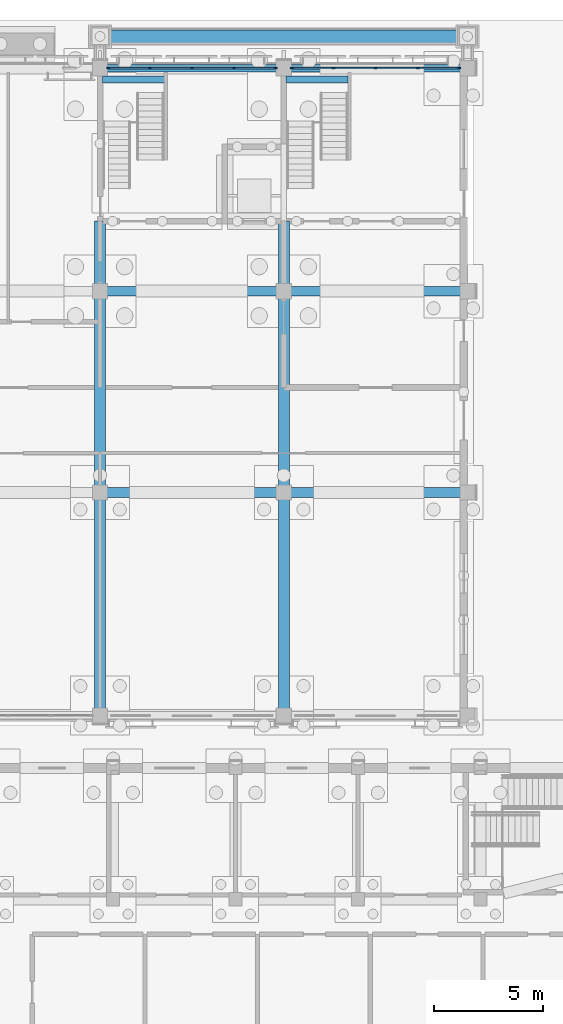
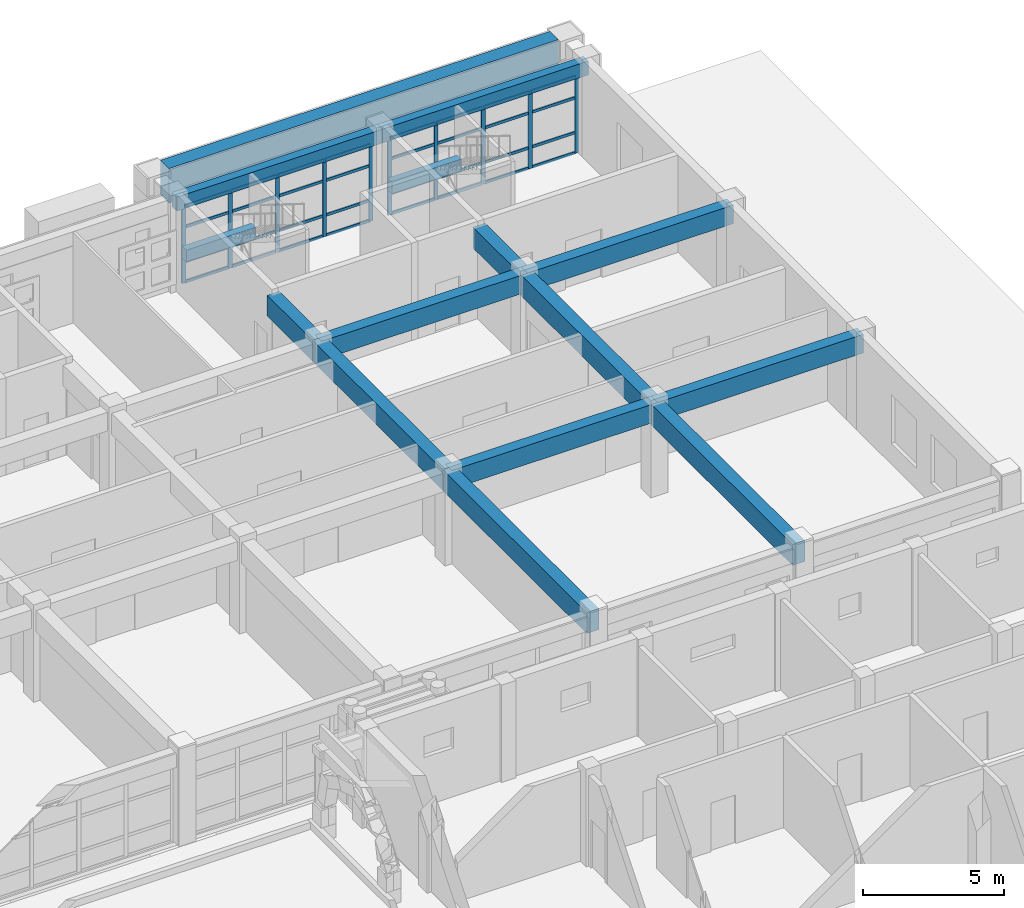
# One storey, part 43 of 112: 42 members, 15 beams, 2 elements without a shape of their own.
"""IFC4 building model written with IfcOpenShell, lengths in metres."""

from ifc_helpers import new_model, si_unit, direction, frame, origin, origin_2d, place, context, subcontext, project, spatial, rectangle, extrude, material, layer, layer_set, material_profile, profile_set, type_object, element, aggregate, save


model = new_model("IFC4")

# Units and contexts
model_context = context("Model", 3, precision=1e-05, world=origin(), true_north=direction((0.0, 1.0)))
body_context = subcontext(model_context, "Body", "Model", "MODEL_VIEW")
ifc_project = project(units=[si_unit("LENGTHUNIT", "METRE"), si_unit("AREAUNIT", "SQUARE_METRE"), si_unit("VOLUMEUNIT", "CUBIC_METRE"), si_unit("PLANEANGLEUNIT", "RADIAN"), si_unit("MASSUNIT", "GRAM", prefix="KILO")], contexts=[model_context])

# Site, building, storey
site_placement = place(None, origin())
site = spatial("IfcSite", under=ifc_project, at=site_placement, CompositionType="ELEMENT")
building_placement = place(site_placement, origin())
building = spatial("IfcBuilding", under=site, at=building_placement, Name="Wasatch Bagh Community Centre", CompositionType="ELEMENT")
storey_placement = place(building_placement, origin())
storey = spatial("IfcBuildingStorey", under=building, at=storey_placement, Name="L00", CompositionType="ELEMENT", Elevation=0.0)

# Beams
ifc_material_1 = material(Name="Concrete C35", Category="concrete")
ifc_material_profile_1 = material_profile(ifc_material_1, rectangle(XDim=0.300048828125, YDim=0.5, at=origin_2d()), Name="RC 300x500")
ifc_profile_set_1 = profile_set([ifc_material_profile_1], Name="Concrete C35")
beam_type_1 = type_object("IfcBeamType", Name="LW RC 300x500", PredefinedType="BEAM", material=ifc_profile_set_1)
for number, where, z_axis, x_axis, name in (
    (1, (122.905029296875, 97.280029296875, 1.64990234375), (1.0, 0.0, 0.0), (0.0, 1.0, 0.0), "LW.lbeam.L00.C3"),
    (2, (131.304931640625, 97.280029296875, 1.64990234375), (1.0, 0.0, 0.0), (0.0, 1.0, 0.0), "LW.lbeam.L00.ES"),
):
    element("IfcBeam", number, at=place(storey_placement, frame(where, z_axis=z_axis, x_axis=x_axis)), inside=storey, type_object=beam_type_1, Name=name, PredefinedType="BEAM", context=body_context, shape_type="SweptSolid", body=[
        extrude(rectangle(XDim=0.300048828125, YDim=0.5, at=origin_2d()), origin(), (0.0, 0.0, 1.0), 2.840087890625),
    ])
ifc_material_profile_2 = material_profile(ifc_material_1, rectangle(XDim=0.35009765625, YDim=0.60009765625, at=origin_2d()), Name="RC 350x600")
ifc_profile_set_2 = profile_set([ifc_material_profile_2], Name="Concrete C35")
beam_type_2 = type_object("IfcBeamType", Name="LW RC 350x600", PredefinedType="BEAM", material=ifc_profile_set_2)
beam_1_placement = place(storey_placement, frame((122.800048828125, 97.800048828125, 3.6201171875), z_axis=(1.0, 0.0, 0.0), x_axis=(0.0, 1.0, 0.0)))
element("IfcBeam", 3, at=beam_1_placement, inside=storey, type_object=beam_type_2, Name="W8-W9N", PredefinedType="BEAM", context=body_context, shape_type="SweptSolid", body=[
    extrude(rectangle(XDim=0.35009765625, YDim=0.60009765625, at=origin_2d()), origin(), (0.0, 0.0, 1.0), 8.39990234375),
])
beam_2_placement = place(storey_placement, frame((131.199951171875, 97.800048828125, 3.6201171875), z_axis=(1.0, 0.0, 0.0), x_axis=(0.0, 1.0, 0.0)))
element("IfcBeam", 4, at=beam_2_placement, inside=storey, type_object=beam_type_2, Name="W9-W10N", PredefinedType="BEAM", context=body_context, shape_type="SweptSolid", body=[
    extrude(rectangle(XDim=0.35009765625, YDim=0.60009765625, at=origin_2d()), origin(), (0.0, 0.0, 1.0), 8.400146484375),
])
ifc_material_profile_3 = material_profile(ifc_material_1, rectangle(XDim=0.449951171875, YDim=0.800048828125, at=origin_2d()), Name="RC 450x800")
ifc_profile_set_3 = profile_set([ifc_material_profile_3], Name="Concrete C35")
beam_type_3 = type_object("IfcBeamType", Name="LW RC 450x800", PredefinedType="BEAM", material=ifc_profile_set_3)
beam_3_placement = place(storey_placement, frame((122.800048828125, 78.39990234375, 3.52001953125), z_axis=(1.0, 0.0, 0.0), x_axis=(0.0, 1.0, 0.0)))
element("IfcBeam", 5, at=beam_3_placement, inside=storey, type_object=beam_type_3, Name="W8-W9S", PredefinedType="BEAM", context=body_context, shape_type="SweptSolid", body=[
    extrude(rectangle(XDim=0.449951171875, YDim=0.800048828125, at=origin_2d()), origin(), (0.0, 0.0, 1.0), 8.39990234375),
])
beam_4_placement = place(storey_placement, frame((131.199951171875, 78.39990234375, 3.52001953125), z_axis=(1.0, 0.0, 0.0), x_axis=(0.0, 1.0, 0.0)))
element("IfcBeam", 6, at=beam_4_placement, inside=storey, type_object=beam_type_3, Name="W9-W10S", PredefinedType="BEAM", context=body_context, shape_type="SweptSolid", body=[
    extrude(rectangle(XDim=0.449951171875, YDim=0.800048828125, at=origin_2d()), origin(), (0.0, 0.0, 1.0), 8.400146484375),
])
beam_5_placement = place(storey_placement, frame((122.800048828125, 87.60009765625, 3.52001953125), z_axis=(1.0, 0.0, 0.0), x_axis=(0.0, 1.0, 0.0)))
element("IfcBeam", 7, at=beam_5_placement, inside=storey, type_object=beam_type_3, Name="W8-W9M", PredefinedType="BEAM", context=body_context, shape_type="SweptSolid", body=[
    extrude(rectangle(XDim=0.449951171875, YDim=0.800048828125, at=origin_2d()), origin(), (0.0, 0.0, 1.0), 8.39990234375),
])
beam_6_placement = place(storey_placement, frame((131.199951171875, 87.60009765625, 3.52001953125), z_axis=(1.0, 0.0, 0.0), x_axis=(0.0, 1.0, 0.0)))
element("IfcBeam", 8, at=beam_6_placement, inside=storey, type_object=beam_type_3, Name="W9-W10M", PredefinedType="BEAM", context=body_context, shape_type="SweptSolid", body=[
    extrude(rectangle(XDim=0.449951171875, YDim=0.800048828125, at=origin_2d()), origin(), (0.0, 0.0, 1.0), 8.400146484375),
])
ifc_material_profile_4 = material_profile(ifc_material_1, rectangle(XDim=0.5, YDim=0.89990234375, at=origin_2d()), Name="RC 500x900")
ifc_profile_set_4 = profile_set([ifc_material_profile_4], Name="Concrete C35")
beam_type_4 = type_object("IfcBeamType", Name="LW RC 500x900", PredefinedType="BEAM", material=ifc_profile_set_4)
beam_7_placement = place(storey_placement, frame((122.800048828125, 68.199951171875, 3.469970703125), z_axis=(0.0, 1.0, 0.0), x_axis=(-1.0, 0.0, 0.0)))
element("IfcBeam", 9, at=beam_7_placement, inside=storey, type_object=beam_type_4, Name="W8Z-S", PredefinedType="BEAM", context=body_context, shape_type="SweptSolid", body=[
    extrude(rectangle(XDim=0.5, YDim=0.89990234375, at=origin_2d()), origin(), (0.0, 0.0, 1.0), 10.199951171875),
])
beam_8_placement = place(storey_placement, frame((122.800048828125, 78.39990234375, 3.469970703125), z_axis=(0.0, 1.0, 0.0), x_axis=(-1.0, 0.0, 0.0)))
element("IfcBeam", 10, at=beam_8_placement, inside=storey, type_object=beam_type_4, Name="W8S-M", PredefinedType="BEAM", context=body_context, shape_type="SweptSolid", body=[
    extrude(rectangle(XDim=0.5, YDim=0.89990234375, at=origin_2d()), origin(), (0.0, 0.0, 1.0), 9.2001953125),
])
beam_9_placement = place(storey_placement, frame((122.800048828125, 87.60009765625, 3.469970703125), z_axis=(0.0, 1.0, 0.0), x_axis=(-1.0, 0.0, 0.0)))
element("IfcBeam", 11, at=beam_9_placement, inside=storey, type_object=beam_type_4, Name="W8M-N", PredefinedType="BEAM", context=body_context, shape_type="SweptSolid", body=[
    extrude(rectangle(XDim=0.5, YDim=0.89990234375, at=origin_2d()), origin(), (0.0, 0.0, 1.0), 3.199951171875),
])
beam_10_placement = place(storey_placement, frame((131.199951171875, 68.199951171875, 3.469970703125), z_axis=(0.0, 1.0, 0.0), x_axis=(-1.0, 0.0, 0.0)))
element("IfcBeam", 12, at=beam_10_placement, inside=storey, type_object=beam_type_4, Name="W9Z-S", PredefinedType="BEAM", context=body_context, shape_type="SweptSolid", body=[
    extrude(rectangle(XDim=0.5, YDim=0.89990234375, at=origin_2d()), origin(), (0.0, 0.0, 1.0), 10.199951171875),
])
beam_11_placement = place(storey_placement, frame((131.199951171875, 78.39990234375, 3.469970703125), z_axis=(0.0, 1.0, 0.0), x_axis=(-1.0, 0.0, 0.0)))
element("IfcBeam", 13, at=beam_11_placement, inside=storey, type_object=beam_type_4, Name="W9S-M", PredefinedType="BEAM", context=body_context, shape_type="SweptSolid", body=[
    extrude(rectangle(XDim=0.5, YDim=0.89990234375, at=origin_2d()), origin(), (0.0, 0.0, 1.0), 9.2001953125),
])
beam_12_placement = place(storey_placement, frame((131.199951171875, 87.60009765625, 3.469970703125), z_axis=(0.0, 1.0, 0.0), x_axis=(-1.0, 0.0, 0.0)))
element("IfcBeam", 14, at=beam_12_placement, inside=storey, type_object=beam_type_4, Name="W9M-N", PredefinedType="BEAM", context=body_context, shape_type="SweptSolid", body=[
    extrude(rectangle(XDim=0.5, YDim=0.89990234375, at=origin_2d()), origin(), (0.0, 0.0, 1.0), 3.199951171875),
])

# Curtain wall, members
ifc_material_2 = material(Name="Aluminium curtain wall frame with low-iron glass", Category="aluminium")
ifc_layer = layer(ifc_material_2, 0.10009765625)
ifc_layer_set = layer_set([ifc_layer], Name="Aluminium curtain wall frame with low-iron glass")
curtain_wall_type = type_object("IfcCurtainWallType", Name="LW curtain wall 100", PredefinedType="NOTDEFINED", material=ifc_layer_set)
curtain_wall_1_placement = place(storey_placement, origin())
curtain_wall_1 = element("IfcCurtainWall", 15, at=curtain_wall_1_placement, inside=storey, type_object=curtain_wall_type, Name="Curtain wall 00.10", PredefinedType="NOTDEFINED")
ifc_material_3 = material(Name="Aluminium extrusion", Category="aluminium")
ifc_material_profile_5 = material_profile(ifc_material_3, rectangle(XDim=0.06005859375, YDim=0.159912109375, at=origin_2d()), Name="AL 60x160")
ifc_profile_set_5 = profile_set([ifc_material_profile_5], Name="Aluminium extrusion")
member_type_1 = type_object("IfcMemberType", Name="LW curtain wall mullion 60x160", PredefinedType="MULLION", material=ifc_profile_set_5)
member_1_placement = place(storey_placement, frame((123.179931640625, 97.800048828125, 0.0), z_axis=(0.0, 0.0, 1.0), x_axis=(0.0, 1.0, 0.0)))
member_1 = element("IfcMember", 16, at=member_1_placement, type_object=member_type_1, Name="LW-CW1 mullion 1", PredefinedType="MULLION", context=body_context, shape_type="SweptSolid", body=[
    extrude(rectangle(XDim=0.06005859375, YDim=0.159912109375, at=origin_2d()), origin(), (0.0, 0.0, 1.0), 3.320068359375),
])
member_2_placement = place(storey_placement, frame((125.074951171875, 97.800048828125, 0.0), z_axis=(0.0, 0.0, 1.0), x_axis=(0.0, 1.0, 0.0)))
member_2 = element("IfcMember", 17, at=member_2_placement, type_object=member_type_1, Name="LW-CW1 mullion 2", PredefinedType="MULLION", context=body_context, shape_type="SweptSolid", body=[
    extrude(rectangle(XDim=0.06005859375, YDim=0.159912109375, at=origin_2d()), origin(), (0.0, 0.0, 1.0), 3.320068359375),
])
member_3_placement = place(storey_placement, frame((127.0, 97.800048828125, 0.0), z_axis=(0.0, 0.0, 1.0), x_axis=(0.0, 1.0, 0.0)))
member_3 = element("IfcMember", 18, at=member_3_placement, type_object=member_type_1, Name="LW-CW1 mullion 3", PredefinedType="MULLION", context=body_context, shape_type="SweptSolid", body=[
    extrude(rectangle(XDim=0.06005859375, YDim=0.159912109375, at=origin_2d()), origin(), (0.0, 0.0, 1.0), 3.320068359375),
])
member_4_placement = place(storey_placement, frame((128.925048828125, 97.800048828125, 0.0), z_axis=(0.0, 0.0, 1.0), x_axis=(0.0, 1.0, 0.0)))
member_4 = element("IfcMember", 19, at=member_4_placement, type_object=member_type_1, Name="LW-CW1 mullion 4", PredefinedType="MULLION", context=body_context, shape_type="SweptSolid", body=[
    extrude(rectangle(XDim=0.06005859375, YDim=0.159912109375, at=origin_2d()), origin(), (0.0, 0.0, 1.0), 3.320068359375),
])
member_5_placement = place(storey_placement, frame((130.820068359375, 97.800048828125, 0.0), z_axis=(0.0, 0.0, 1.0), x_axis=(0.0, 1.0, 0.0)))
member_5 = element("IfcMember", 20, at=member_5_placement, type_object=member_type_1, Name="LW-CW1 mullion 5", PredefinedType="MULLION", context=body_context, shape_type="SweptSolid", body=[
    extrude(rectangle(XDim=0.06005859375, YDim=0.159912109375, at=origin_2d()), origin(), (0.0, 0.0, 1.0), 3.320068359375),
])

curtain_wall_2_placement = place(storey_placement, origin())
curtain_wall_2 = element("IfcCurtainWall", 21, at=curtain_wall_2_placement, inside=storey, type_object=curtain_wall_type, Name="Curtain wall 00.11", PredefinedType="NOTDEFINED")
member_6_placement = place(storey_placement, frame((131.580078125, 97.800048828125, 0.0), z_axis=(0.0, 0.0, 1.0), x_axis=(0.0, 1.0, 0.0)))
member_6 = element("IfcMember", 22, at=member_6_placement, type_object=member_type_1, Name="LW-CW1 mullion 1", PredefinedType="MULLION", context=body_context, shape_type="SweptSolid", body=[
    extrude(rectangle(XDim=0.06005859375, YDim=0.159912109375, at=origin_2d()), origin(), (0.0, 0.0, 1.0), 3.320068359375),
])
member_7_placement = place(storey_placement, frame((133.47509765625, 97.800048828125, 0.0), z_axis=(0.0, 0.0, 1.0), x_axis=(0.0, 1.0, 0.0)))
member_7 = element("IfcMember", 23, at=member_7_placement, type_object=member_type_1, Name="LW-CW1 mullion 2", PredefinedType="MULLION", context=body_context, shape_type="SweptSolid", body=[
    extrude(rectangle(XDim=0.06005859375, YDim=0.159912109375, at=origin_2d()), origin(), (0.0, 0.0, 1.0), 3.320068359375),
])
member_8_placement = place(storey_placement, frame((135.39990234375, 97.800048828125, 0.0), z_axis=(0.0, 0.0, 1.0), x_axis=(0.0, 1.0, 0.0)))
member_8 = element("IfcMember", 24, at=member_8_placement, type_object=member_type_1, Name="LW-CW1 mullion 3", PredefinedType="MULLION", context=body_context, shape_type="SweptSolid", body=[
    extrude(rectangle(XDim=0.06005859375, YDim=0.159912109375, at=origin_2d()), origin(), (0.0, 0.0, 1.0), 3.320068359375),
])
member_9_placement = place(storey_placement, frame((137.324951171875, 97.800048828125, 0.0), z_axis=(0.0, 0.0, 1.0), x_axis=(0.0, 1.0, 0.0)))
member_9 = element("IfcMember", 25, at=member_9_placement, type_object=member_type_1, Name="LW-CW1 mullion 4", PredefinedType="MULLION", context=body_context, shape_type="SweptSolid", body=[
    extrude(rectangle(XDim=0.06005859375, YDim=0.159912109375, at=origin_2d()), origin(), (0.0, 0.0, 1.0), 3.320068359375),
])
member_10_placement = place(storey_placement, frame((139.219970703125, 97.800048828125, 0.0), z_axis=(0.0, 0.0, 1.0), x_axis=(0.0, 1.0, 0.0)))
member_10 = element("IfcMember", 26, at=member_10_placement, type_object=member_type_1, Name="LW-CW1 mullion 5", PredefinedType="MULLION", context=body_context, shape_type="SweptSolid", body=[
    extrude(rectangle(XDim=0.06005859375, YDim=0.159912109375, at=origin_2d()), origin(), (0.0, 0.0, 1.0), 3.320068359375),
])

# Member
ifc_material_profile_6 = material_profile(ifc_material_3, rectangle(XDim=0.06005859375, YDim=0.1201171875, at=origin_2d()), Name="AL 60x120")
ifc_profile_set_6 = profile_set([ifc_material_profile_6], Name="Aluminium extrusion")
member_type_2 = type_object("IfcMemberType", Name="LW curtain wall transom 60x120", PredefinedType="USERDEFINED", material=ifc_profile_set_6)
member_11_placement = place(storey_placement, frame((123.2099609375, 97.800048828125, 0.030029296875), z_axis=(1.0, 0.0, 0.0), x_axis=(0.0, 1.0, 0.0)))
member_11 = element("IfcMember", 27, at=member_11_placement, type_object=member_type_2, Name="LW-CW1 transom 1.1", ObjectType="TRANSOM", PredefinedType="USERDEFINED", context=body_context, shape_type="SweptSolid", body=[
    extrude(rectangle(XDim=0.06005859375, YDim=0.1201171875, at=origin_2d()), origin(), (0.0, 0.0, 1.0), 1.8349609375),
])

member_12_placement = place(storey_placement, frame((123.2099609375, 97.800048828125, 0.89990234375), z_axis=(1.0, 0.0, 0.0), x_axis=(0.0, 1.0, 0.0)))
member_12 = element("IfcMember", 28, at=member_12_placement, type_object=member_type_2, Name="LW-CW1 transom 1.2", ObjectType="TRANSOM", PredefinedType="USERDEFINED", context=body_context, shape_type="SweptSolid", body=[
    extrude(rectangle(XDim=0.06005859375, YDim=0.1201171875, at=origin_2d()), origin(), (0.0, 0.0, 1.0), 1.8349609375),
])

member_13_placement = place(storey_placement, frame((123.2099609375, 97.800048828125, 2.39990234375), z_axis=(1.0, 0.0, 0.0), x_axis=(0.0, 1.0, 0.0)))
member_13 = element("IfcMember", 29, at=member_13_placement, type_object=member_type_2, Name="LW-CW1 transom 1.3", ObjectType="TRANSOM", PredefinedType="USERDEFINED", context=body_context, shape_type="SweptSolid", body=[
    extrude(rectangle(XDim=0.06005859375, YDim=0.1201171875, at=origin_2d()), origin(), (0.0, 0.0, 1.0), 1.8349609375),
])

member_14_placement = place(storey_placement, frame((123.2099609375, 97.800048828125, 3.2900390625), z_axis=(1.0, 0.0, 0.0), x_axis=(0.0, 1.0, 0.0)))
member_14 = element("IfcMember", 30, at=member_14_placement, type_object=member_type_2, Name="LW-CW1 transom 1.4", ObjectType="TRANSOM", PredefinedType="USERDEFINED", context=body_context, shape_type="SweptSolid", body=[
    extrude(rectangle(XDim=0.06005859375, YDim=0.1201171875, at=origin_2d()), origin(), (0.0, 0.0, 1.0), 1.8349609375),
])

member_15_placement = place(storey_placement, frame((125.10498046875, 97.800048828125, 0.030029296875), z_axis=(1.0, 0.0, 0.0), x_axis=(0.0, 1.0, 0.0)))
member_15 = element("IfcMember", 31, at=member_15_placement, type_object=member_type_2, Name="LW-CW1 transom 2.1", ObjectType="TRANSOM", PredefinedType="USERDEFINED", context=body_context, shape_type="SweptSolid", body=[
    extrude(rectangle(XDim=0.06005859375, YDim=0.1201171875, at=origin_2d()), origin(), (0.0, 0.0, 1.0), 1.864990234375),
])

member_16_placement = place(storey_placement, frame((125.10498046875, 97.800048828125, 0.89990234375), z_axis=(1.0, 0.0, 0.0), x_axis=(0.0, 1.0, 0.0)))
member_16 = element("IfcMember", 32, at=member_16_placement, type_object=member_type_2, Name="LW-CW1 transom 2.2", ObjectType="TRANSOM", PredefinedType="USERDEFINED", context=body_context, shape_type="SweptSolid", body=[
    extrude(rectangle(XDim=0.06005859375, YDim=0.1201171875, at=origin_2d()), origin(), (0.0, 0.0, 1.0), 1.864990234375),
])

member_17_placement = place(storey_placement, frame((125.10498046875, 97.800048828125, 2.39990234375), z_axis=(1.0, 0.0, 0.0), x_axis=(0.0, 1.0, 0.0)))
member_17 = element("IfcMember", 33, at=member_17_placement, type_object=member_type_2, Name="LW-CW1 transom 2.3", ObjectType="TRANSOM", PredefinedType="USERDEFINED", context=body_context, shape_type="SweptSolid", body=[
    extrude(rectangle(XDim=0.06005859375, YDim=0.1201171875, at=origin_2d()), origin(), (0.0, 0.0, 1.0), 1.864990234375),
])

member_18_placement = place(storey_placement, frame((125.10498046875, 97.800048828125, 3.2900390625), z_axis=(1.0, 0.0, 0.0), x_axis=(0.0, 1.0, 0.0)))
member_18 = element("IfcMember", 34, at=member_18_placement, type_object=member_type_2, Name="LW-CW1 transom 2.4", ObjectType="TRANSOM", PredefinedType="USERDEFINED", context=body_context, shape_type="SweptSolid", body=[
    extrude(rectangle(XDim=0.06005859375, YDim=0.1201171875, at=origin_2d()), origin(), (0.0, 0.0, 1.0), 1.864990234375),
])

member_19_placement = place(storey_placement, frame((127.030029296875, 97.800048828125, 0.030029296875), z_axis=(1.0, 0.0, 0.0), x_axis=(0.0, 1.0, 0.0)))
member_19 = element("IfcMember", 35, at=member_19_placement, type_object=member_type_2, Name="LW-CW1 transom 3.1", ObjectType="TRANSOM", PredefinedType="USERDEFINED", context=body_context, shape_type="SweptSolid", body=[
    extrude(rectangle(XDim=0.06005859375, YDim=0.1201171875, at=origin_2d()), origin(), (0.0, 0.0, 1.0), 1.864990234375),
])

member_20_placement = place(storey_placement, frame((127.030029296875, 97.800048828125, 0.89990234375), z_axis=(1.0, 0.0, 0.0), x_axis=(0.0, 1.0, 0.0)))
member_20 = element("IfcMember", 36, at=member_20_placement, type_object=member_type_2, Name="LW-CW1 transom 3.2", ObjectType="TRANSOM", PredefinedType="USERDEFINED", context=body_context, shape_type="SweptSolid", body=[
    extrude(rectangle(XDim=0.06005859375, YDim=0.1201171875, at=origin_2d()), origin(), (0.0, 0.0, 1.0), 1.864990234375),
])

member_21_placement = place(storey_placement, frame((127.030029296875, 97.800048828125, 2.39990234375), z_axis=(1.0, 0.0, 0.0), x_axis=(0.0, 1.0, 0.0)))
member_21 = element("IfcMember", 37, at=member_21_placement, type_object=member_type_2, Name="LW-CW1 transom 3.3", ObjectType="TRANSOM", PredefinedType="USERDEFINED", context=body_context, shape_type="SweptSolid", body=[
    extrude(rectangle(XDim=0.06005859375, YDim=0.1201171875, at=origin_2d()), origin(), (0.0, 0.0, 1.0), 1.864990234375),
])

member_22_placement = place(storey_placement, frame((127.030029296875, 97.800048828125, 3.2900390625), z_axis=(1.0, 0.0, 0.0), x_axis=(0.0, 1.0, 0.0)))
member_22 = element("IfcMember", 38, at=member_22_placement, type_object=member_type_2, Name="LW-CW1 transom 3.4", ObjectType="TRANSOM", PredefinedType="USERDEFINED", context=body_context, shape_type="SweptSolid", body=[
    extrude(rectangle(XDim=0.06005859375, YDim=0.1201171875, at=origin_2d()), origin(), (0.0, 0.0, 1.0), 1.864990234375),
])

member_23_placement = place(storey_placement, frame((128.955078125, 97.800048828125, 0.030029296875), z_axis=(1.0, 0.0, 0.0), x_axis=(0.0, 1.0, 0.0)))
member_23 = element("IfcMember", 39, at=member_23_placement, type_object=member_type_2, Name="LW-CW1 transom 4.1", ObjectType="TRANSOM", PredefinedType="USERDEFINED", context=body_context, shape_type="SweptSolid", body=[
    extrude(rectangle(XDim=0.06005859375, YDim=0.1201171875, at=origin_2d()), origin(), (0.0, 0.0, 1.0), 1.8349609375),
])

member_24_placement = place(storey_placement, frame((128.955078125, 97.800048828125, 0.89990234375), z_axis=(1.0, 0.0, 0.0), x_axis=(0.0, 1.0, 0.0)))
member_24 = element("IfcMember", 40, at=member_24_placement, type_object=member_type_2, Name="LW-CW1 transom 4.2", ObjectType="TRANSOM", PredefinedType="USERDEFINED", context=body_context, shape_type="SweptSolid", body=[
    extrude(rectangle(XDim=0.06005859375, YDim=0.1201171875, at=origin_2d()), origin(), (0.0, 0.0, 1.0), 1.8349609375),
])

member_25_placement = place(storey_placement, frame((128.955078125, 97.800048828125, 2.39990234375), z_axis=(1.0, 0.0, 0.0), x_axis=(0.0, 1.0, 0.0)))
member_25 = element("IfcMember", 41, at=member_25_placement, type_object=member_type_2, Name="LW-CW1 transom 4.3", ObjectType="TRANSOM", PredefinedType="USERDEFINED", context=body_context, shape_type="SweptSolid", body=[
    extrude(rectangle(XDim=0.06005859375, YDim=0.1201171875, at=origin_2d()), origin(), (0.0, 0.0, 1.0), 1.8349609375),
])

member_26_placement = place(storey_placement, frame((128.955078125, 97.800048828125, 3.2900390625), z_axis=(1.0, 0.0, 0.0), x_axis=(0.0, 1.0, 0.0)))
member_26 = element("IfcMember", 42, at=member_26_placement, type_object=member_type_2, Name="LW-CW1 transom 4.4", ObjectType="TRANSOM", PredefinedType="USERDEFINED", context=body_context, shape_type="SweptSolid", body=[
    extrude(rectangle(XDim=0.06005859375, YDim=0.1201171875, at=origin_2d()), origin(), (0.0, 0.0, 1.0), 1.8349609375),
])

aggregate(curtain_wall_1, [member_1, member_2, member_3, member_4, member_5, member_11, member_12, member_13, member_14, member_15, member_16, member_17, member_18, member_19, member_20, member_21, member_22, member_23, member_24, member_25, member_26])

member_27_placement = place(storey_placement, frame((131.610107421875, 97.800048828125, 0.030029296875), z_axis=(1.0, 0.0, 0.0), x_axis=(0.0, 1.0, 0.0)))
member_27 = element("IfcMember", 43, at=member_27_placement, type_object=member_type_2, Name="LW-CW1 transom 1.1", ObjectType="TRANSOM", PredefinedType="USERDEFINED", context=body_context, shape_type="SweptSolid", body=[
    extrude(rectangle(XDim=0.06005859375, YDim=0.1201171875, at=origin_2d()), origin(), (0.0, 0.0, 1.0), 1.8349609375),
])

member_28_placement = place(storey_placement, frame((131.610107421875, 97.800048828125, 0.89990234375), z_axis=(1.0, 0.0, 0.0), x_axis=(0.0, 1.0, 0.0)))
member_28 = element("IfcMember", 44, at=member_28_placement, type_object=member_type_2, Name="LW-CW1 transom 1.2", ObjectType="TRANSOM", PredefinedType="USERDEFINED", context=body_context, shape_type="SweptSolid", body=[
    extrude(rectangle(XDim=0.06005859375, YDim=0.1201171875, at=origin_2d()), origin(), (0.0, 0.0, 1.0), 1.8349609375),
])

member_29_placement = place(storey_placement, frame((131.610107421875, 97.800048828125, 2.39990234375), z_axis=(1.0, 0.0, 0.0), x_axis=(0.0, 1.0, 0.0)))
member_29 = element("IfcMember", 45, at=member_29_placement, type_object=member_type_2, Name="LW-CW1 transom 1.3", ObjectType="TRANSOM", PredefinedType="USERDEFINED", context=body_context, shape_type="SweptSolid", body=[
    extrude(rectangle(XDim=0.06005859375, YDim=0.1201171875, at=origin_2d()), origin(), (0.0, 0.0, 1.0), 1.8349609375),
])

member_30_placement = place(storey_placement, frame((131.610107421875, 97.800048828125, 3.2900390625), z_axis=(1.0, 0.0, 0.0), x_axis=(0.0, 1.0, 0.0)))
member_30 = element("IfcMember", 46, at=member_30_placement, type_object=member_type_2, Name="LW-CW1 transom 1.4", ObjectType="TRANSOM", PredefinedType="USERDEFINED", context=body_context, shape_type="SweptSolid", body=[
    extrude(rectangle(XDim=0.06005859375, YDim=0.1201171875, at=origin_2d()), origin(), (0.0, 0.0, 1.0), 1.8349609375),
])

member_31_placement = place(storey_placement, frame((133.5048828125, 97.800048828125, 0.030029296875), z_axis=(1.0, 0.0, 0.0), x_axis=(0.0, 1.0, 0.0)))
member_31 = element("IfcMember", 47, at=member_31_placement, type_object=member_type_2, Name="LW-CW1 transom 2.1", ObjectType="TRANSOM", PredefinedType="USERDEFINED", context=body_context, shape_type="SweptSolid", body=[
    extrude(rectangle(XDim=0.06005859375, YDim=0.1201171875, at=origin_2d()), origin(), (0.0, 0.0, 1.0), 1.865234375),
])

member_32_placement = place(storey_placement, frame((133.5048828125, 97.800048828125, 0.89990234375), z_axis=(1.0, 0.0, 0.0), x_axis=(0.0, 1.0, 0.0)))
member_32 = element("IfcMember", 48, at=member_32_placement, type_object=member_type_2, Name="LW-CW1 transom 2.2", ObjectType="TRANSOM", PredefinedType="USERDEFINED", context=body_context, shape_type="SweptSolid", body=[
    extrude(rectangle(XDim=0.06005859375, YDim=0.1201171875, at=origin_2d()), origin(), (0.0, 0.0, 1.0), 1.865234375),
])

member_33_placement = place(storey_placement, frame((133.5048828125, 97.800048828125, 2.39990234375), z_axis=(1.0, 0.0, 0.0), x_axis=(0.0, 1.0, 0.0)))
member_33 = element("IfcMember", 49, at=member_33_placement, type_object=member_type_2, Name="LW-CW1 transom 2.3", ObjectType="TRANSOM", PredefinedType="USERDEFINED", context=body_context, shape_type="SweptSolid", body=[
    extrude(rectangle(XDim=0.06005859375, YDim=0.1201171875, at=origin_2d()), origin(), (0.0, 0.0, 1.0), 1.865234375),
])

member_34_placement = place(storey_placement, frame((133.5048828125, 97.800048828125, 3.2900390625), z_axis=(1.0, 0.0, 0.0), x_axis=(0.0, 1.0, 0.0)))
member_34 = element("IfcMember", 50, at=member_34_placement, type_object=member_type_2, Name="LW-CW1 transom 2.4", ObjectType="TRANSOM", PredefinedType="USERDEFINED", context=body_context, shape_type="SweptSolid", body=[
    extrude(rectangle(XDim=0.06005859375, YDim=0.1201171875, at=origin_2d()), origin(), (0.0, 0.0, 1.0), 1.865234375),
])

member_35_placement = place(storey_placement, frame((135.429931640625, 97.800048828125, 0.030029296875), z_axis=(1.0, 0.0, 0.0), x_axis=(0.0, 1.0, 0.0)))
member_35 = element("IfcMember", 51, at=member_35_placement, type_object=member_type_2, Name="LW-CW1 transom 3.1", ObjectType="TRANSOM", PredefinedType="USERDEFINED", context=body_context, shape_type="SweptSolid", body=[
    extrude(rectangle(XDim=0.06005859375, YDim=0.1201171875, at=origin_2d()), origin(), (0.0, 0.0, 1.0), 1.864990234375),
])

member_36_placement = place(storey_placement, frame((135.429931640625, 97.800048828125, 0.89990234375), z_axis=(1.0, 0.0, 0.0), x_axis=(0.0, 1.0, 0.0)))
member_36 = element("IfcMember", 52, at=member_36_placement, type_object=member_type_2, Name="LW-CW1 transom 3.2", ObjectType="TRANSOM", PredefinedType="USERDEFINED", context=body_context, shape_type="SweptSolid", body=[
    extrude(rectangle(XDim=0.06005859375, YDim=0.1201171875, at=origin_2d()), origin(), (0.0, 0.0, 1.0), 1.864990234375),
])

member_37_placement = place(storey_placement, frame((135.429931640625, 97.800048828125, 2.39990234375), z_axis=(1.0, 0.0, 0.0), x_axis=(0.0, 1.0, 0.0)))
member_37 = element("IfcMember", 53, at=member_37_placement, type_object=member_type_2, Name="LW-CW1 transom 3.3", ObjectType="TRANSOM", PredefinedType="USERDEFINED", context=body_context, shape_type="SweptSolid", body=[
    extrude(rectangle(XDim=0.06005859375, YDim=0.1201171875, at=origin_2d()), origin(), (0.0, 0.0, 1.0), 1.864990234375),
])

member_38_placement = place(storey_placement, frame((135.429931640625, 97.800048828125, 3.2900390625), z_axis=(1.0, 0.0, 0.0), x_axis=(0.0, 1.0, 0.0)))
member_38 = element("IfcMember", 54, at=member_38_placement, type_object=member_type_2, Name="LW-CW1 transom 3.4", ObjectType="TRANSOM", PredefinedType="USERDEFINED", context=body_context, shape_type="SweptSolid", body=[
    extrude(rectangle(XDim=0.06005859375, YDim=0.1201171875, at=origin_2d()), origin(), (0.0, 0.0, 1.0), 1.864990234375),
])

member_39_placement = place(storey_placement, frame((137.35498046875, 97.800048828125, 0.030029296875), z_axis=(1.0, 0.0, 0.0), x_axis=(0.0, 1.0, 0.0)))
member_39 = element("IfcMember", 55, at=member_39_placement, type_object=member_type_2, Name="LW-CW1 transom 4.1", ObjectType="TRANSOM", PredefinedType="USERDEFINED", context=body_context, shape_type="SweptSolid", body=[
    extrude(rectangle(XDim=0.06005859375, YDim=0.1201171875, at=origin_2d()), origin(), (0.0, 0.0, 1.0), 1.8349609375),
])

member_40_placement = place(storey_placement, frame((137.35498046875, 97.800048828125, 0.89990234375), z_axis=(1.0, 0.0, 0.0), x_axis=(0.0, 1.0, 0.0)))
member_40 = element("IfcMember", 56, at=member_40_placement, type_object=member_type_2, Name="LW-CW1 transom 4.2", ObjectType="TRANSOM", PredefinedType="USERDEFINED", context=body_context, shape_type="SweptSolid", body=[
    extrude(rectangle(XDim=0.06005859375, YDim=0.1201171875, at=origin_2d()), origin(), (0.0, 0.0, 1.0), 1.8349609375),
])

member_41_placement = place(storey_placement, frame((137.35498046875, 97.800048828125, 2.39990234375), z_axis=(1.0, 0.0, 0.0), x_axis=(0.0, 1.0, 0.0)))
member_41 = element("IfcMember", 57, at=member_41_placement, type_object=member_type_2, Name="LW-CW1 transom 4.3", ObjectType="TRANSOM", PredefinedType="USERDEFINED", context=body_context, shape_type="SweptSolid", body=[
    extrude(rectangle(XDim=0.06005859375, YDim=0.1201171875, at=origin_2d()), origin(), (0.0, 0.0, 1.0), 1.8349609375),
])

member_42_placement = place(storey_placement, frame((137.35498046875, 97.800048828125, 3.2900390625), z_axis=(1.0, 0.0, 0.0), x_axis=(0.0, 1.0, 0.0)))
member_42 = element("IfcMember", 58, at=member_42_placement, type_object=member_type_2, Name="LW-CW1 transom 4.4", ObjectType="TRANSOM", PredefinedType="USERDEFINED", context=body_context, shape_type="SweptSolid", body=[
    extrude(rectangle(XDim=0.06005859375, YDim=0.1201171875, at=origin_2d()), origin(), (0.0, 0.0, 1.0), 1.8349609375),
])

aggregate(curtain_wall_2, [member_6, member_7, member_8, member_9, member_10, member_27, member_28, member_29, member_30, member_31, member_32, member_33, member_34, member_35, member_36, member_37, member_38, member_39, member_40, member_41, member_42])

# Beam
ifc_material_profile_7 = material_profile(ifc_material_1, rectangle(XDim=0.60009765625, YDim=1.5, at=origin_2d()), Name="RC 600x1500")
ifc_profile_set_7 = profile_set([ifc_material_profile_7], Name="Concrete C35")
beam_type_5 = type_object("IfcBeamType", Name="LW-B7", PredefinedType="BEAM", material=ifc_profile_set_7)
beam_13_placement = place(storey_placement, frame((123.25, 99.25, 3.449951171875), z_axis=(1.0, 0.0, 0.0), x_axis=(0.0, 1.0, 0.0)))
element("IfcBeam", 59, at=beam_13_placement, inside=storey, type_object=beam_type_5, Name="LW-B7 arcade girder B4", PredefinedType="BEAM", context=body_context, shape_type="SweptSolid", body=[
    extrude(rectangle(XDim=0.60009765625, YDim=1.5, at=origin_2d()), origin(), (0.0, 0.0, 1.0), 15.89990234375),
])

save(model, "model.ifc")
